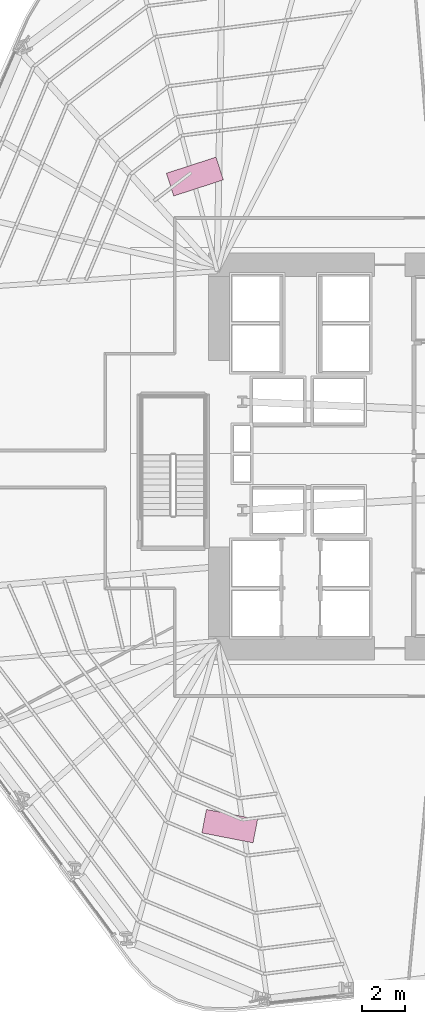
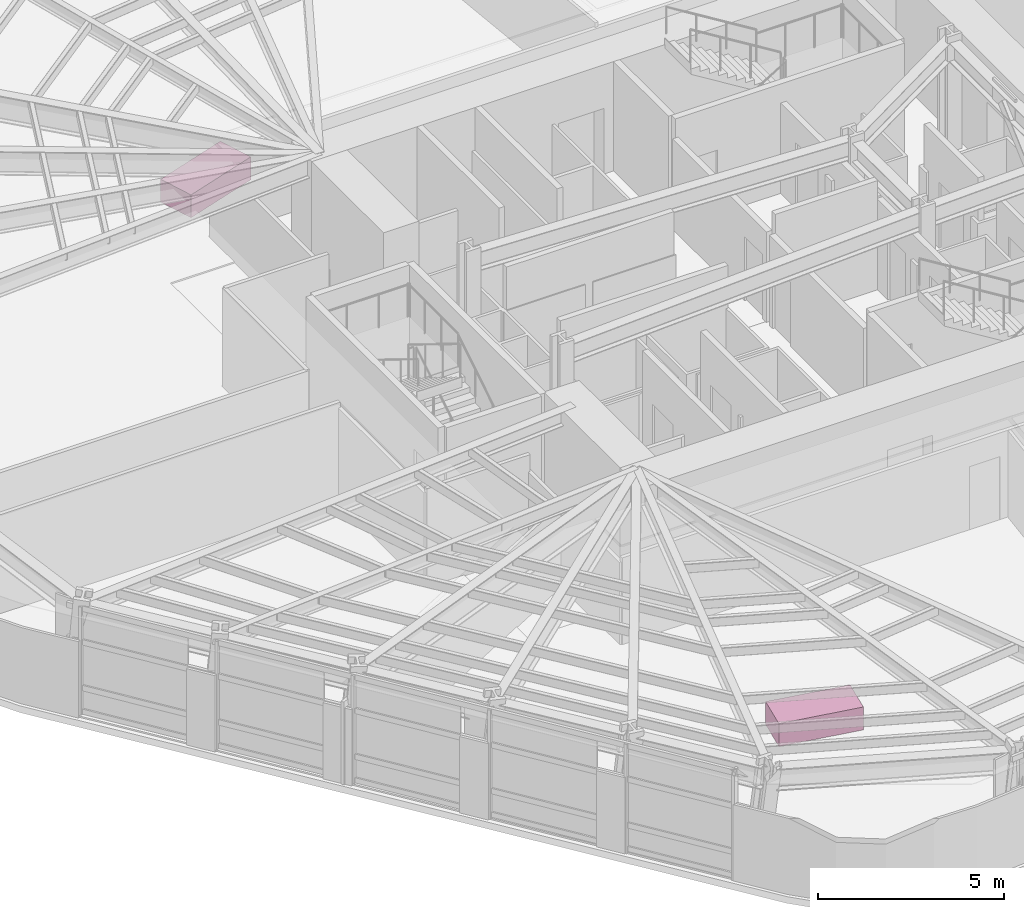
# One storey, part 16 of 16: 2 furniture elements.
"""IFC4 building model written with IfcOpenShell, lengths in metres."""

from ifc_helpers import new_model, si_unit, direction, frame, origin, origin_2d, place, context, subcontext, project, spatial, rectangle, extrude, material, type_object, element, save


model = new_model("IFC4")

# Units and contexts
model_context = context("Model", 3, precision=1e-05, world=origin(), true_north=direction((0.0, 1.0)))
body_context = subcontext(model_context, "Body", "Model", "MODEL_VIEW")
ifc_project = project(units=[si_unit("LENGTHUNIT", "METRE"), si_unit("AREAUNIT", "SQUARE_METRE"), si_unit("VOLUMEUNIT", "CUBIC_METRE"), si_unit("PLANEANGLEUNIT", "RADIAN"), si_unit("MASSUNIT", "GRAM", prefix="KILO")], contexts=[model_context])

# Site, building, storey
site_placement = place(None, origin())
site = spatial("IfcSite", under=ifc_project, at=site_placement, CompositionType="ELEMENT")
building_placement = place(site_placement, origin())
building = spatial("IfcBuilding", under=site, at=building_placement, Name="Valkerne Bourse Tower", CompositionType="ELEMENT")
storey_placement = place(building_placement, frame((0.0, 0.0, 50.60009765625)))
storey = spatial("IfcBuildingStorey", under=building, at=storey_placement, Name="L12", CompositionType="ELEMENT", Elevation=50.60009765625)

# Furniture
ifc_material = material(Name="Architectural White Oak Timber", Category="wood")
furniture_type = type_object("IfcFurnitureType", Name="FURN-DESK-2400", AssemblyPlace="NOTDEFINED", PredefinedType="DESK", material=ifc_material)
for number, where, z_axis, x_axis, name in (
    (1, (38.177978515625, 9.861083984375, 0.044921875), (0.0, 0.0, 1.0), (-0.981627183448, 0.190808995377, 0.0), "L12 Suite Worktable 05"),
    (2, (36.573974609375, 39.756103515625, 0.044921875), (0.0, 0.0, 1.0), (0.951056516295, 0.309016994375, 0.0), "L12 Suite Worktable 06"),
):
    element("IfcFurniture", number, at=place(storey_placement, frame(where, z_axis=z_axis, x_axis=x_axis)), inside=storey, type_object=furniture_type, Name=name, PredefinedType="DESK", context=body_context, shape_type="SweptSolid", body=[
        extrude(rectangle(XDim=2.39990234375, YDim=1.10009765625, at=origin_2d()), origin(), (0.0, 0.0, 1.0), 0.75),
    ])

save(model, "model.ifc")
